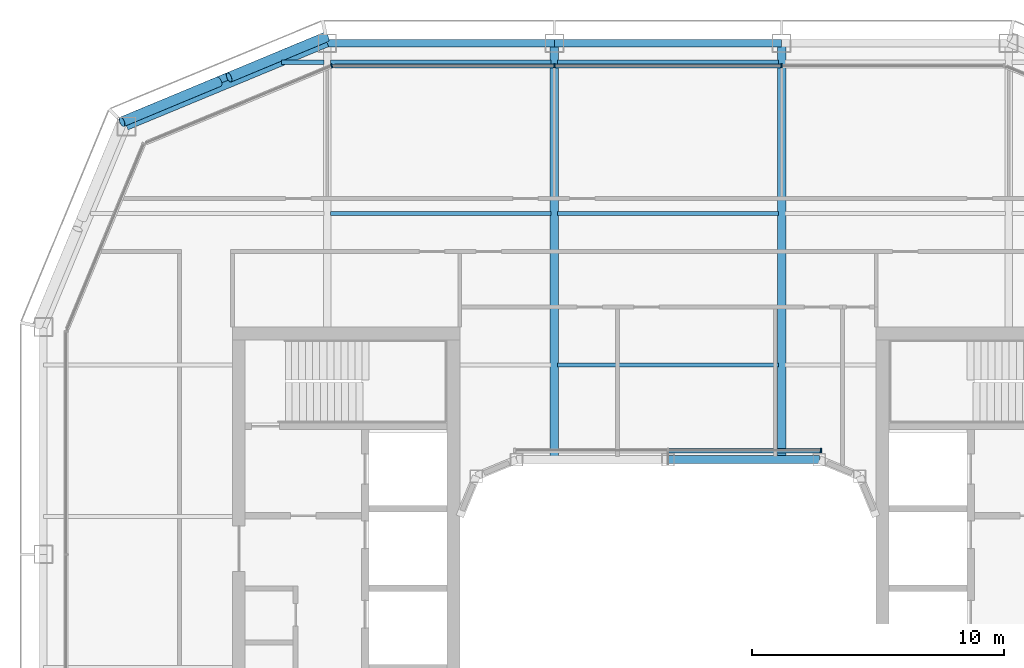
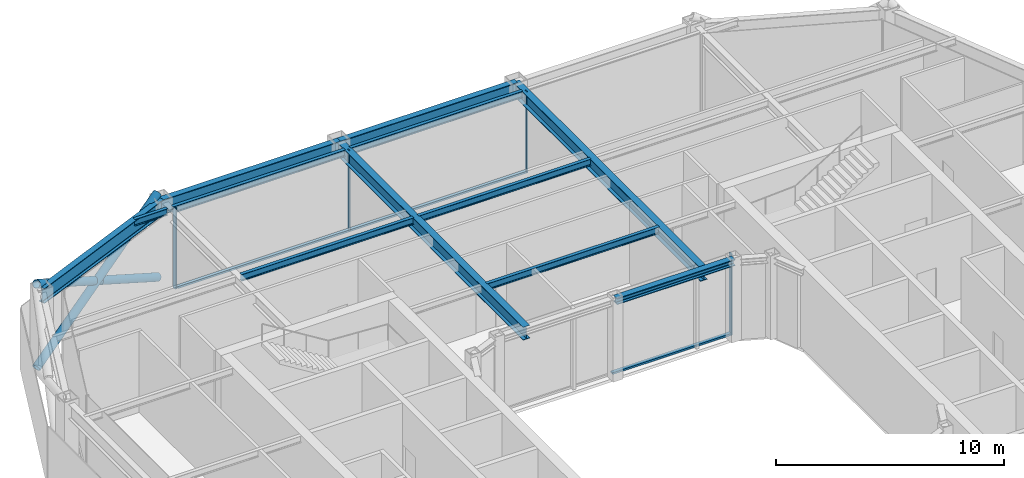
# One storey, part 7 of 17: 12 beams, 10 members, 3 elements without a shape of their own.
"""IFC4 building model written with IfcOpenShell, lengths in metres."""

from ifc_helpers import new_model, si_unit, direction, frame, origin, origin_2d, place, context, subcontext, project, spatial, rectangle, hollow_circle, i_section, extrude, material, layer, layer_set, material_profile, profile_set, type_object, element, aggregate, save


model = new_model("IFC4")

# Units and contexts
model_context = context("Model", 3, precision=1e-05, world=origin(), true_north=direction((0.0, 1.0)))
body_context = subcontext(model_context, "Body", "Model", "MODEL_VIEW")
ifc_project = project(units=[si_unit("LENGTHUNIT", "METRE"), si_unit("AREAUNIT", "SQUARE_METRE"), si_unit("VOLUMEUNIT", "CUBIC_METRE"), si_unit("PLANEANGLEUNIT", "RADIAN"), si_unit("MASSUNIT", "GRAM", prefix="KILO")], contexts=[model_context])

# Site, building, storey
site_placement = place(None, origin())
site = spatial("IfcSite", under=ifc_project, at=site_placement, CompositionType="ELEMENT")
building_placement = place(site_placement, origin())
building = spatial("IfcBuilding", under=site, at=building_placement, Name="Siwar Civic Tower", CompositionType="ELEMENT")
storey_placement = place(building_placement, frame((0.0, 0.0, 289.699951171875)))
storey = spatial("IfcBuildingStorey", under=building, at=storey_placement, Name="L62", CompositionType="ELEMENT", Elevation=289.699951171875)

# Curtain wall, members
ifc_material_1 = material(Name="Aluminium and glass", Category="aluminium")
ifc_layer_1 = layer(ifc_material_1, 0.159912109375)
ifc_layer_set_1 = layer_set([ifc_layer_1], Name="Aluminium and glass")
curtain_wall_type_1 = type_object("IfcCurtainWallType", Name="ENV-CW-D", PredefinedType="NOTDEFINED", material=ifc_layer_set_1)
curtain_wall_1_placement = place(storey_placement, origin())
curtain_wall_1 = element("IfcCurtainWall", 1, at=curtain_wall_1_placement, inside=storey, type_object=curtain_wall_type_1, Name="Curtain wall D N", PredefinedType="NOTDEFINED")
ifc_material_2 = material(Name="Aluminium 6063-T6", Category="aluminium")
ifc_material_profile_1 = material_profile(ifc_material_2, rectangle(XDim=0.159912109375, YDim=0.06005859375, at=origin_2d()), Name="AL 160x60")
ifc_profile_set_1 = profile_set([ifc_material_profile_1], Name="Aluminium 6063-T6")
member_type_1 = type_object("IfcMemberType", Name="ENV-MULLION-D", PredefinedType="MULLION", material=ifc_profile_set_1)
member_1_placement = place(storey_placement, frame((4.5, 23.85009765625, 0.0), z_axis=(0.0, 0.0, 1.0), x_axis=(0.0, -1.0, 0.0)))
member_1 = element("IfcMember", 2, at=member_1_placement, type_object=member_type_1, Name="Mullion D N 2", PredefinedType="MULLION", context=body_context, shape_type="SweptSolid", body=[
    extrude(rectangle(XDim=0.159912109375, YDim=0.06005859375, at=origin_2d()), origin(), (0.0, 0.0, 1.0), 4.35009765625),
])
member_2_placement = place(storey_placement, frame((-4.5, 23.85009765625, 0.0), z_axis=(0.0, 0.0, 1.0), x_axis=(0.0, -1.0, 0.0)))
member_2 = element("IfcMember", 3, at=member_2_placement, type_object=member_type_1, Name="Mullion D N 3", PredefinedType="MULLION", context=body_context, shape_type="SweptSolid", body=[
    extrude(rectangle(XDim=0.159912109375, YDim=0.06005859375, at=origin_2d()), origin(), (0.0, 0.0, 1.0), 4.35009765625),
])

# Curtain wall, member
ifc_material_3 = material(Name="Aluminium clad insulated panel", Category="aluminium")
ifc_layer_2 = layer(ifc_material_3, 0.159912109375)
ifc_layer_set_2 = layer_set([ifc_layer_2], Name="Aluminium clad insulated panel")
curtain_wall_type_2 = type_object("IfcCurtainWallType", Name="ENV-CW-DX", PredefinedType="NOTDEFINED", material=ifc_layer_set_2)
curtain_wall_2_placement = place(storey_placement, origin())
curtain_wall_2 = element("IfcCurtainWall", 4, at=curtain_wall_2_placement, inside=storey, type_object=curtain_wall_type_2, Name="Curtain wall D NW1", PredefinedType="NOTDEFINED")
member_3_placement = place(storey_placement, frame((-13.321044921875, 23.85009765625, 0.0), z_axis=(0.0, 0.0, 1.0), x_axis=(0.382683432365, -0.923879532511, 0.0)))
member_3 = element("IfcMember", 5, at=member_3_placement, type_object=member_type_1, Name="Mullion D NW1 1", PredefinedType="MULLION", context=body_context, shape_type="SweptSolid", body=[
    extrude(rectangle(XDim=0.159912109375, YDim=0.06005859375, at=origin_2d()), origin(), (0.0, 0.0, 1.0), 4.35009765625),
])
aggregate(curtain_wall_2, [member_3])

ifc_material_4 = material(Name="Aluminium and glass", Category="aluminium")
ifc_layer_3 = layer(ifc_material_4, 0.179931640625)
ifc_layer_set_3 = layer_set([ifc_layer_3], Name="Aluminium and glass")
curtain_wall_type_3 = type_object("IfcCurtainWallType", Name="ENV-CW-W", PredefinedType="NOTDEFINED", material=ifc_layer_set_3)
curtain_wall_3_placement = place(storey_placement, origin())
curtain_wall_3 = element("IfcCurtainWall", 6, at=curtain_wall_3_placement, inside=storey, type_object=curtain_wall_type_3, Name="Curtain wall W WN", PredefinedType="NOTDEFINED")
ifc_material_5 = material(Name="Aluminium 6063-T6", Category="aluminium")
ifc_material_profile_2 = material_profile(ifc_material_5, rectangle(XDim=0.179931640625, YDim=0.06005859375, at=origin_2d()), Name="AL 180x60")
ifc_profile_set_2 = profile_set([ifc_material_profile_2], Name="Aluminium 6063-T6")
member_type_2 = type_object("IfcMemberType", Name="ENV-MULLION-W", PredefinedType="MULLION", material=ifc_profile_set_2)
member_4_placement = place(storey_placement, frame((6.071533203125, 8.610107421875, 0.0), z_axis=(0.0, 0.0, 1.0), x_axis=(0.0, -1.0, 0.0)))
member_4 = element("IfcMember", 7, at=member_4_placement, type_object=member_type_2, Name="Mullion W WN 1", PredefinedType="MULLION", context=body_context, shape_type="SweptSolid", body=[
    extrude(rectangle(XDim=0.179931640625, YDim=0.06005859375, at=origin_2d()), origin(), (0.0, 0.0, 1.0), 4.35009765625),
])

# Member
ifc_material_6 = material(Name="Aluminium 6063-T6", Category="aluminium")
ifc_material_profile_3 = material_profile(ifc_material_6, rectangle(XDim=0.159912109375, YDim=0.10009765625, at=origin_2d()), Name="AL 160x100")
ifc_profile_set_3 = profile_set([ifc_material_profile_3], Name="Aluminium 6063-T6")
member_type_3 = type_object("IfcMemberType", Name="ENV-TRANSOM-D", PredefinedType="USERDEFINED", material=ifc_profile_set_3)
member_5_placement = place(storey_placement, frame((4.469970703125, 23.85009765625, 0.050048828125), z_axis=(-1.0, 0.0, 0.0), x_axis=(0.0, -1.0, 0.0)))
member_5 = element("IfcMember", 8, at=member_5_placement, type_object=member_type_3, Name="Transom D N 2", ObjectType="TRANSOM", PredefinedType="USERDEFINED", context=body_context, shape_type="SweptSolid", body=[
    extrude(rectangle(XDim=0.159912109375, YDim=0.10009765625, at=origin_2d()), origin(), (0.0, 0.0, 1.0), 8.93994140625),
])

member_6_placement = place(storey_placement, frame((-4.530029296875, 23.85009765625, 0.050048828125), z_axis=(-1.0, 0.0, 0.0), x_axis=(0.0, -1.0, 0.0)))
member_6 = element("IfcMember", 9, at=member_6_placement, type_object=member_type_3, Name="Transom D N 3", ObjectType="TRANSOM", PredefinedType="USERDEFINED", context=body_context, shape_type="SweptSolid", body=[
    extrude(rectangle(XDim=0.159912109375, YDim=0.10009765625, at=origin_2d()), origin(), (0.0, 0.0, 1.0), 8.693115234375),
])

aggregate(curtain_wall_1, [member_1, member_2, member_5, member_6])

ifc_material_7 = material(Name="Aluminium 6063-T6", Category="aluminium")
ifc_material_profile_4 = material_profile(ifc_material_7, rectangle(XDim=0.179931640625, YDim=0.10009765625, at=origin_2d()), Name="AL 180x100")
ifc_profile_set_4 = profile_set([ifc_material_profile_4], Name="Aluminium 6063-T6")
member_type_4 = type_object("IfcMemberType", Name="ENV-TRANSOM-W", PredefinedType="USERDEFINED", material=ifc_profile_set_4)
member_7_placement = place(storey_placement, frame((6.04150390625, 8.610107421875, 0.050048828125), z_axis=(-1.0, 0.0, 0.0), x_axis=(0.0, -1.0, 0.0)))
member_7 = element("IfcMember", 10, at=member_7_placement, type_object=member_type_4, Name="Transom W WN 1", ObjectType="TRANSOM", PredefinedType="USERDEFINED", context=body_context, shape_type="SweptSolid", body=[
    extrude(rectangle(XDim=0.179931640625, YDim=0.10009765625, at=origin_2d()), origin(), (0.0, 0.0, 1.0), 6.011474609375),
])

aggregate(curtain_wall_3, [member_4, member_7])

# Members
ifc_material_8 = material(Name="Steel S355", Category="steel")
ifc_material_profile_5 = material_profile(ifc_material_8, hollow_circle(Radius=0.203125, WallThickness=0.01611328125, at=origin_2d()), Name="CHS406.4x16")
ifc_profile_set_5 = profile_set([ifc_material_profile_5], Name="Steel S355")
member_type_5 = type_object("IfcMemberType", Name="STR-BR-CHS406.4x16", PredefinedType="BRACE", material=ifc_profile_set_5)
member_8_placement = place(storey_placement, frame((-21.6318359375, 21.6318359375, 0.0), z_axis=(0.821142553604, 0.341671493852, 0.457149315816), x_axis=(-0.384163874976, 0.923264922524, 0.0)))
element("IfcMember", 11, at=member_8_placement, inside=storey, type_object=member_type_5, Name="L62/brc/DNW1-1-0-0", PredefinedType="BRACE", context=body_context, shape_type="SweptSolid", body=[
    extrude(hollow_circle(Radius=0.203125, WallThickness=0.01611328125, at=origin_2d()), origin(), (0.0, 0.0, 1.0), 9.843505859375),
])
for number, where, z_axis, x_axis, name in (
    (12, (-13.548828125, 24.9951171875, 0.0), (-0.821130093572, -0.341659024948, 0.45718101459), (0.384156893273, -0.923267827529, 0.0), "L62/brc/DNW1-1-0-4"),
    (13, (-17.791259765625, 23.229736328125, 2.362060546875), (-0.821166691915, -0.341652533125, 0.457120127208), (0.38413607648, -0.923276488787, 0.0), "L62/brc/DNW1-1-0-5"),
):
    element("IfcMember", number, at=place(storey_placement, frame(where, z_axis=z_axis, x_axis=x_axis)), inside=storey, type_object=member_type_5, Name=name, PredefinedType="BRACE", context=body_context, shape_type="SweptSolid", body=[
        extrude(hollow_circle(Radius=0.203125, WallThickness=0.01611328125, at=origin_2d()), origin(), (0.0, 0.0, 1.0), 4.677001953125),
    ])

# Beams
ifc_material_9 = material(Name="Steel S355", Category="steel")
ifc_material_profile_6 = material_profile(ifc_material_9, i_section(OverallWidth=0.169921875, OverallDepth=0.360107421875, WebThickness=0.008056640625, FlangeThickness=0.0126953125, FilletRadius=0.01806640625, at=origin_2d()), Name="IPE360")
ifc_profile_set_6 = profile_set([ifc_material_profile_6], Name="Steel S355")
beam_type_1 = type_object("IfcBeamType", Name="STR-FB-IPE360", PredefinedType="JOIST", material=ifc_profile_set_6)
for number, where, z_axis, x_axis, name in (
    (14, (-4.3701171875, 12.0, 4.170166015625), (1.0, 0.0, 0.0), (0.0, 1.0, 0.0), "L62/bm/F024"),
    (15, (-13.3701171875, 18.0, 4.170166015625), (1.0, 0.0, 0.0), (0.0, 1.0, 0.0), "L62/bm/F028"),
    (16, (-4.3701171875, 18.0, 4.170166015625), (1.0, 0.0, 0.0), (0.0, 1.0, 0.0), "L62/bm/F029"),
):
    element("IfcBeam", number, at=place(storey_placement, frame(where, z_axis=z_axis, x_axis=x_axis)), inside=storey, type_object=beam_type_1, Name=name, PredefinedType="JOIST", context=body_context, shape_type="SweptSolid", body=[
        extrude(i_section(OverallWidth=0.169921875, OverallDepth=0.360107421875, WebThickness=0.008056640625, FlangeThickness=0.0126953125, FilletRadius=0.01806640625, at=origin_2d()), origin(), (0.0, 0.0, 1.0), 8.740234375),
    ])
beam_1_placement = place(storey_placement, frame((-15.310546875, 24.0, 4.170166015625), z_axis=(1.0, 0.0, 0.0), x_axis=(0.0, 1.0, 0.0)))
element("IfcBeam", 17, at=beam_1_placement, inside=storey, type_object=beam_type_1, Name="L62/bm/F032", PredefinedType="JOIST", context=body_context, shape_type="SweptSolid", body=[
    extrude(i_section(OverallWidth=0.169921875, OverallDepth=0.360107421875, WebThickness=0.008056640625, FlangeThickness=0.0126953125, FilletRadius=0.01806640625, at=origin_2d()), origin(), (0.0, 0.0, 1.0), 1.6806640625),
])
for number, where, z_axis, x_axis, name in (
    (18, (-13.3701171875, 24.0, 4.170166015625), (1.0, 0.0, 0.0), (0.0, 1.0, 0.0), "L62/bm/F033"),
    (19, (-4.3701171875, 24.0, 4.170166015625), (1.0, 0.0, 0.0), (0.0, 1.0, 0.0), "L62/bm/F034"),
):
    element("IfcBeam", number, at=place(storey_placement, frame(where, z_axis=z_axis, x_axis=x_axis)), inside=storey, type_object=beam_type_1, Name=name, PredefinedType="JOIST", context=body_context, shape_type="SweptSolid", body=[
        extrude(i_section(OverallWidth=0.169921875, OverallDepth=0.360107421875, WebThickness=0.008056640625, FlangeThickness=0.0126953125, FilletRadius=0.01806640625, at=origin_2d()), origin(), (0.0, 0.0, 1.0), 8.740234375),
    ])
ifc_material_10 = material(Name="Steel S355", Category="steel")
ifc_material_profile_7 = material_profile(ifc_material_10, i_section(OverallWidth=0.340087890625, OverallDepth=0.699951171875, WebThickness=0.013916015625, FlangeThickness=0.030029296875, at=origin_2d()), Name="PG700x340x14x30")
ifc_profile_set_7 = profile_set([ifc_material_profile_7], Name="Steel S355")
beam_type_2 = type_object("IfcBeamType", Name="STR-PG-PG700x340x14x30", PredefinedType="BEAM", material=ifc_profile_set_7)
for number, where, z_axis, x_axis, name in (
    (20, (-4.5, 8.25, 4.0), (0.0, 1.0, 0.0), (-1.0, 0.0, 0.0), "L62/bm/G04"),
    (21, (4.5, 8.25, 4.0), (0.0, 1.0, 0.0), (-1.0, 0.0, 0.0), "L62/bm/G06"),
):
    element("IfcBeam", number, at=place(storey_placement, frame(where, z_axis=z_axis, x_axis=x_axis)), inside=storey, type_object=beam_type_2, Name=name, PredefinedType="BEAM", context=body_context, shape_type="SweptSolid", body=[
        extrude(i_section(OverallWidth=0.340087890625, OverallDepth=0.699951171875, WebThickness=0.013916015625, FlangeThickness=0.030029296875, at=origin_2d()), origin(), (0.0, 0.0, 1.0), 16.5),
    ])
ifc_material_11 = material(Name="Steel S355", Category="steel")
ifc_material_profile_8 = material_profile(ifc_material_11, i_section(OverallWidth=0.31005859375, OverallDepth=0.340087890625, WebThickness=0.02099609375, FlangeThickness=0.0390625, FilletRadius=0.027099609375, at=origin_2d()), Name="HEM300")
ifc_profile_set_8 = profile_set([ifc_material_profile_8], Name="Steel S355")
beam_type_3 = type_object("IfcBeamType", Name="STR-RB-HEM300", PredefinedType="BEAM", material=ifc_profile_set_8)
beam_2_placement = place(storey_placement, frame((0.0, 8.25, 4.179931640625), z_axis=(1.0, 0.0, 0.0), x_axis=(0.0, 1.0, 0.0)))
element("IfcBeam", 22, at=beam_2_placement, inside=storey, type_object=beam_type_3, Name="L62/bm/RN2", PredefinedType="BEAM", context=body_context, shape_type="SweptSolid", body=[
    extrude(i_section(OverallWidth=0.31005859375, OverallDepth=0.340087890625, WebThickness=0.02099609375, FlangeThickness=0.0390625, FilletRadius=0.027099609375, at=origin_2d()), origin(), (0.0, 0.0, 1.0), 6.0),
])
ifc_material_12 = material(Name="Steel S355", Category="steel")
ifc_material_profile_9 = material_profile(ifc_material_12, i_section(OverallWidth=0.300048828125, OverallDepth=0.800048828125, WebThickness=0.017578125, FlangeThickness=0.032958984375, FilletRadius=0.030029296875, at=origin_2d()), Name="HEB800")
ifc_profile_set_9 = profile_set([ifc_material_profile_9], Name="Steel S355")
beam_type_4 = type_object("IfcBeamType", Name="STR-SB-HEB800", PredefinedType="BEAM", material=ifc_profile_set_9)
for number, where, z_axis, x_axis, name in (
    (23, (4.5, 24.75, 3.949951171875), (-1.0, 0.0, 0.0), (0.0, -1.0, 0.0), "L62/bm/SN-1"),
    (24, (-4.5, 24.75, 3.949951171875), (-1.0, 0.0, 0.0), (0.0, -1.0, 0.0), "L62/bm/SN-2"),
):
    element("IfcBeam", number, at=place(storey_placement, frame(where, z_axis=z_axis, x_axis=x_axis)), inside=storey, type_object=beam_type_4, Name=name, PredefinedType="BEAM", context=body_context, shape_type="SweptSolid", body=[
        extrude(i_section(OverallWidth=0.300048828125, OverallDepth=0.800048828125, WebThickness=0.017578125, FlangeThickness=0.032958984375, FilletRadius=0.030029296875, at=origin_2d()), origin(), (0.0, 0.0, 1.0), 9.0),
    ])
beam_3_placement = place(storey_placement, frame((-13.5, 24.75, 3.949951171875), z_axis=(-0.923872720536, -0.382699877515, 0.0), x_axis=(0.382699877515, -0.923872720536, 0.0)))
element("IfcBeam", 25, at=beam_3_placement, inside=storey, type_object=beam_type_4, Name="L62/bm/SNW1-0", PredefinedType="BEAM", context=body_context, shape_type="SweptSolid", body=[
    extrude(i_section(OverallWidth=0.300048828125, OverallDepth=0.800048828125, WebThickness=0.017578125, FlangeThickness=0.032958984375, FilletRadius=0.030029296875, at=origin_2d()), origin(), (0.0, 0.0, 1.0), 8.6103515625),
])

save(model, "model.ifc")
